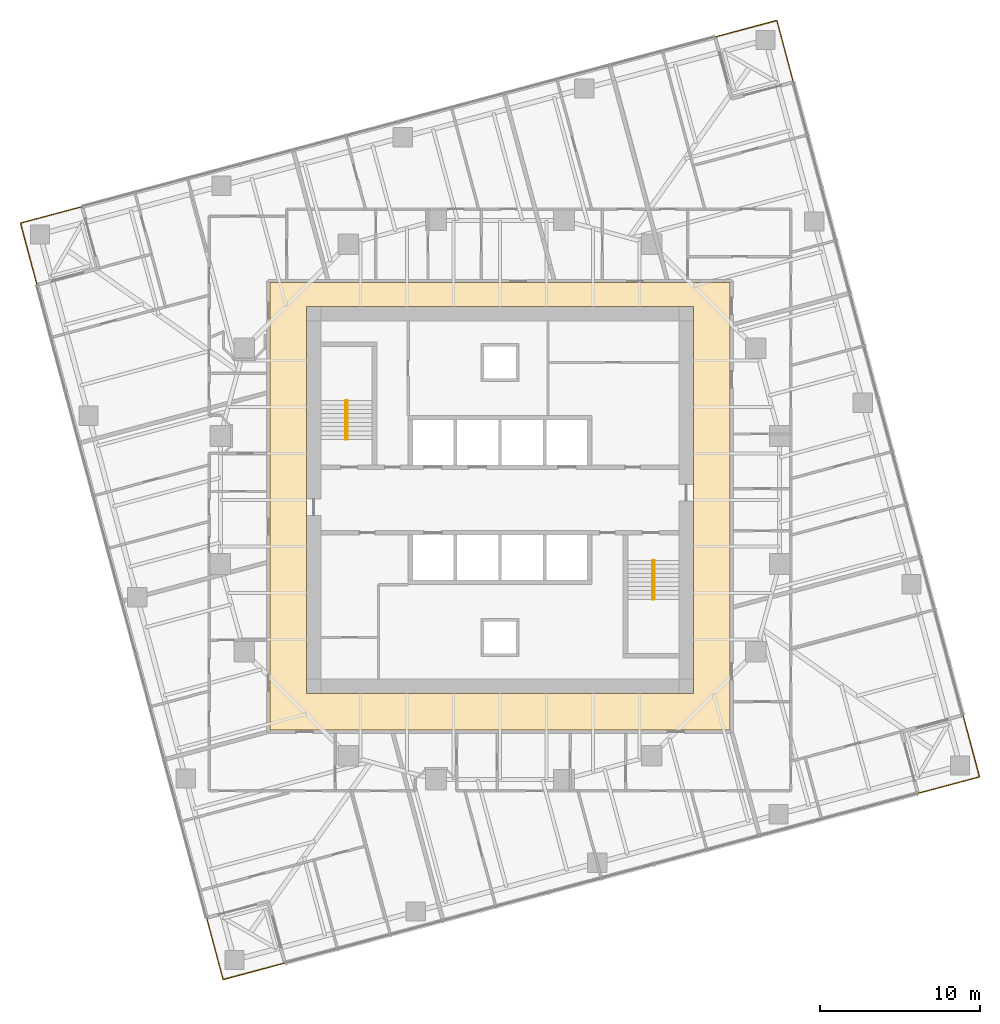
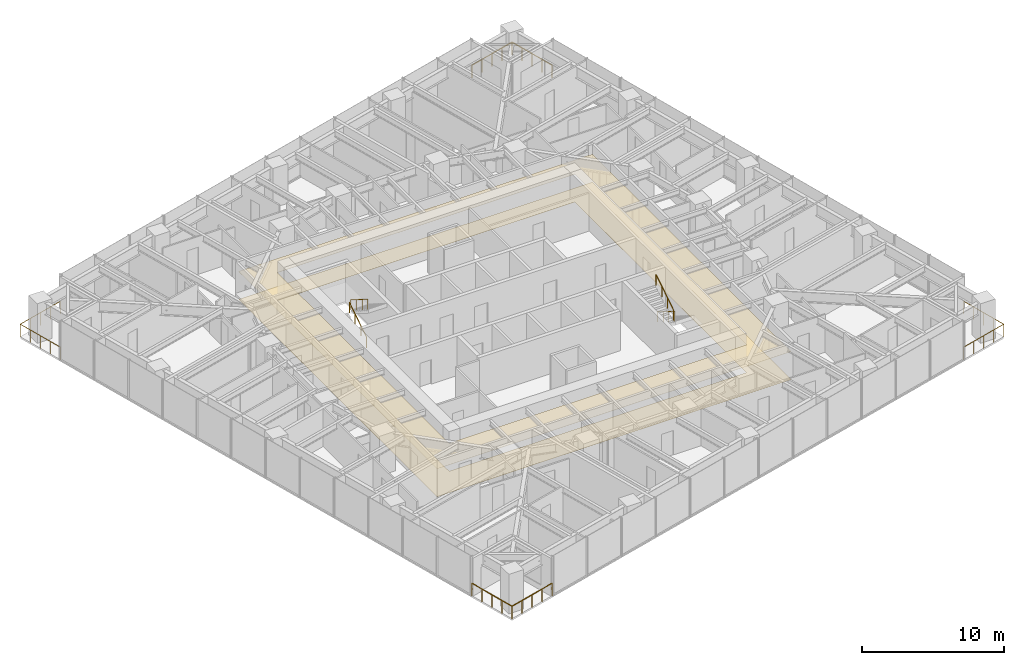
# One storey, part 15 of 15: 8 railings, 2 coverings, 2 elements without a shape of their own.
"""IFC4 building model written with IfcOpenShell, lengths in metres."""

from ifc_helpers import new_model, si_unit, direction, frame, origin, origin_2d, place, context, subcontext, project, spatial, polyline, circle, outline, extrude, material, layer, layer_set, type_object, element, aggregate, save


model = new_model("IFC4")

# Units and contexts
model_context = context("Model", 3, precision=1e-05, world=origin(), true_north=direction((0.0, 1.0)))
body_context = subcontext(model_context, "Body", "Model", "MODEL_VIEW")
ifc_project = project(units=[si_unit("LENGTHUNIT", "METRE"), si_unit("AREAUNIT", "SQUARE_METRE"), si_unit("VOLUMEUNIT", "CUBIC_METRE"), si_unit("PLANEANGLEUNIT", "RADIAN"), si_unit("MASSUNIT", "GRAM", prefix="KILO")], contexts=[model_context])

# Site, building, storey
site_placement = place(None, origin())
site = spatial("IfcSite", under=ifc_project, at=site_placement, CompositionType="ELEMENT")
building_placement = place(site_placement, origin())
building = spatial("IfcBuilding", under=site, at=building_placement, Name="Torsade Residences", CompositionType="ELEMENT")
storey_placement = place(building_placement, frame((0.0, 0.0, 132.0)))
storey = spatial("IfcBuildingStorey", under=building, at=storey_placement, Name="L36", CompositionType="ELEMENT", Elevation=132.0)

# Coverings
ifc_material_1 = material(Name="Nylon carpet tile on underlay", Category="textile")
ifc_layer_1 = layer(ifc_material_1, 0.010009765625)
ifc_layer_set_1 = layer_set([ifc_layer_1], Name="Nylon carpet tile on underlay")
covering_type_1 = type_object("IfcCoveringType", Name="CORRIDOR CARPET TILE 10", PredefinedType="FLOORING", material=ifc_layer_set_1)
covering_1_placement = place(storey_placement, origin())
element("IfcCovering", 1, at=covering_1_placement, inside=storey, type_object=covering_type_1, Name="Corridor carpet L36", PredefinedType="FLOORING", context=body_context, shape_type="SweptSolid", body=[
    extrude(outline(polyline([(54.39990234375, 15.60009765625), (54.39990234375, 43.60009765625), (25.60009765625, 43.60009765625), (25.60009765625, 15.60009765625), (54.39990234375, 15.60009765625)]), holes=[polyline([(52.10009765625, 42.10009765625), (27.89990234375, 42.10009765625), (27.89990234375, 17.89990234375), (52.10009765625, 17.89990234375), (52.10009765625, 42.10009765625)])]), origin(), (0.0, 0.0, 1.0), 0.010009765625),
])
ifc_material_2 = material(Name="Plasterboard on suspended steel grid", Category="steel")
ifc_layer_2 = layer(ifc_material_2, 0.012939453125)
ifc_layer_set_2 = layer_set([ifc_layer_2], Name="Plasterboard on suspended steel grid")
covering_type_2 = type_object("IfcCoveringType", Name="CORRIDOR SUSPENDED CEILING 13", PredefinedType="CEILING", material=ifc_layer_set_2)
covering_2_placement = place(storey_placement, frame((0.0, 0.0, 2.39990234375)))
element("IfcCovering", 2, at=covering_2_placement, inside=storey, type_object=covering_type_2, Name="Corridor ceiling L36", PredefinedType="CEILING", context=body_context, shape_type="SweptSolid", body=[
    extrude(outline(polyline([(54.39990234375, 15.60009765625), (54.39990234375, 43.60009765625), (25.60009765625, 43.60009765625), (25.60009765625, 15.60009765625), (54.39990234375, 15.60009765625)]), holes=[polyline([(52.10009765625, 42.10009765625), (27.89990234375, 42.10009765625), (27.89990234375, 17.89990234375), (52.10009765625, 17.89990234375), (52.10009765625, 42.10009765625)])]), origin(), (0.0, 0.0, 1.0), 0.01318359375),
])

# Stair, railings
ifc_material_3 = material(Name="Precast concrete 40 MPa", Category="concrete")
stair_type = type_object("IfcStairType", Name="HALF-TURN FIRE STAIR 1500x3400", PredefinedType="HALF_TURN_STAIR", material=ifc_material_3)
stair_1_placement = place(storey_placement, origin())
stair_1 = element("IfcStair", 3, at=stair_1_placement, inside=storey, type_object=stair_type, Name="Stair ST1 L36", PredefinedType="HALF_TURN_STAIR")
ifc_material_4 = material(Name="Steel handrail", Category="steel")
railing_type_1 = type_object("IfcRailingType", Name="STAIR HANDRAIL 900", PredefinedType="HANDRAIL", material=ifc_material_4)
railing_1_placement = place(storey_placement, frame((30.35009765625, 33.780029296875, 0.169921875)))
railing_1 = element("IfcRailing", 4, at=railing_1_placement, type_object=railing_type_1, Name="Handrail ST1 flight 1 L36", PredefinedType="HANDRAIL", context=body_context, shape_type="SweptSolid", body=[
    extrude(circle(Radius=0.02392578125, at=origin_2d()), frame((0.0, 0.0, 0.8759765625), z_axis=(0.0, 0.846221481393, 0.532831309544), x_axis=(-1.0, 0.0, 0.0)), (0.0, 0.0, 1.0), 2.87158203125),
    extrude(circle(Radius=0.02099609375, at=origin_2d()), origin(), (0.0, 0.0, 1.0), 0.851806640625),
    extrude(circle(Radius=0.02099609375, at=origin_2d()), frame((0.0, 0.81005859375, 0.510009765625)), (0.0, 0.0, 1.0), 0.851806640625),
    extrude(circle(Radius=0.02099609375, at=origin_2d()), frame((0.0, 1.619873046875, 1.02001953125)), (0.0, 0.0, 1.0), 0.851806640625),
    extrude(circle(Radius=0.02099609375, at=origin_2d()), frame((0.0, 2.429931640625, 1.530029296875)), (0.0, 0.0, 1.0), 0.851806640625),
])
railing_2_placement = place(storey_placement, frame((30.449951171875, 36.2099609375, 1.8701171875)))
railing_2 = element("IfcRailing", 5, at=railing_2_placement, type_object=railing_type_1, Name="Handrail ST1 flight 2 L36", PredefinedType="HANDRAIL", context=body_context, shape_type="SweptSolid", body=[
    extrude(circle(Radius=0.02392578125, at=origin_2d()), frame((0.0, 0.0, 0.8759765625), z_axis=(0.0, -0.846259816676, 0.532770422113), x_axis=(1.0, 0.0, 0.0)), (0.0, 0.0, 1.0), 2.871337890625),
    extrude(circle(Radius=0.02099609375, at=origin_2d()), origin(), (0.0, 0.0, 1.0), 0.851806640625),
    extrude(circle(Radius=0.02099609375, at=origin_2d()), frame((0.0, -0.81005859375, 0.510009765625)), (0.0, 0.0, 1.0), 0.851806640625),
    extrude(circle(Radius=0.02099609375, at=origin_2d()), frame((0.0, -1.619873046875, 1.019775390625)), (0.0, 0.0, 1.0), 0.851806640625),
    extrude(circle(Radius=0.02099609375, at=origin_2d()), frame((0.0, -2.429931640625, 1.52978515625)), (0.0, 0.0, 1.0), 0.851806640625),
])
aggregate(stair_1, [railing_1, railing_2])

stair_2_placement = place(storey_placement, origin())
stair_2 = element("IfcStair", 6, at=stair_2_placement, inside=storey, type_object=stair_type, Name="Stair ST2 L36", PredefinedType="HALF_TURN_STAIR")
railing_3_placement = place(storey_placement, frame((49.64990234375, 26.219970703125, 0.169921875)))
railing_3 = element("IfcRailing", 7, at=railing_3_placement, type_object=railing_type_1, Name="Handrail ST2 flight 1 L36", PredefinedType="HANDRAIL", context=body_context, shape_type="SweptSolid", body=[
    extrude(circle(Radius=0.02392578125, at=origin_2d()), frame((0.0, 0.0, 0.8759765625), z_axis=(0.0, -0.846221481393, 0.532831309544), x_axis=(1.0, 0.0, 0.0)), (0.0, 0.0, 1.0), 2.87158203125),
    extrude(circle(Radius=0.02099609375, at=origin_2d()), origin(), (0.0, 0.0, 1.0), 0.851806640625),
    extrude(circle(Radius=0.02099609375, at=origin_2d()), frame((0.0, -0.81005859375, 0.510009765625)), (0.0, 0.0, 1.0), 0.851806640625),
    extrude(circle(Radius=0.02099609375, at=origin_2d()), frame((0.0, -1.619873046875, 1.02001953125)), (0.0, 0.0, 1.0), 0.851806640625),
    extrude(circle(Radius=0.02099609375, at=origin_2d()), frame((0.0, -2.429931640625, 1.530029296875)), (0.0, 0.0, 1.0), 0.851806640625),
])
railing_4_placement = place(storey_placement, frame((49.550048828125, 23.7900390625, 1.8701171875)))
railing_4 = element("IfcRailing", 8, at=railing_4_placement, type_object=railing_type_1, Name="Handrail ST2 flight 2 L36", PredefinedType="HANDRAIL", context=body_context, shape_type="SweptSolid", body=[
    extrude(circle(Radius=0.02392578125, at=origin_2d()), frame((0.0, 0.0, 0.8759765625), z_axis=(0.0, 0.846259816676, 0.532770422113), x_axis=(-1.0, 0.0, 0.0)), (0.0, 0.0, 1.0), 2.871337890625),
    extrude(circle(Radius=0.02099609375, at=origin_2d()), origin(), (0.0, 0.0, 1.0), 0.851806640625),
    extrude(circle(Radius=0.02099609375, at=origin_2d()), frame((0.0, 0.81005859375, 0.510009765625)), (0.0, 0.0, 1.0), 0.851806640625),
    extrude(circle(Radius=0.02099609375, at=origin_2d()), frame((0.0, 1.619873046875, 1.019775390625)), (0.0, 0.0, 1.0), 0.851806640625),
    extrude(circle(Radius=0.02099609375, at=origin_2d()), frame((0.0, 2.429931640625, 1.52978515625)), (0.0, 0.0, 1.0), 0.851806640625),
])
aggregate(stair_2, [railing_3, railing_4])

# Railings
ifc_material_5 = material(Name="Laminated glass balustrade", Category="glass")
railing_type_2 = type_object("IfcRailingType", Name="TERRACE GLASS BALUSTRADE 1100", PredefinedType="BALUSTRADE", material=ifc_material_5)
railing_5_placement = place(storey_placement, frame((66.142578125, 11.640625, 0.0)))
element("IfcRailing", 9, at=railing_5_placement, inside=storey, type_object=railing_type_2, Name="Terrace balustrade SE L36", PredefinedType="BALUSTRADE", context=body_context, shape_type="SweptSolid", body=[
    extrude(circle(Radius=0.02392578125, at=origin_2d()), frame((0.0, 0.0, 1.076171875), z_axis=(0.965934430412, 0.258786931944, 0.0), x_axis=(-0.258786931944, 0.965934430412, 0.0)), (0.0, 0.0, 1.0), 4.0),
    extrude(circle(Radius=0.02392578125, at=origin_2d()), frame((3.86376953125, 1.03515625, 1.076171875), z_axis=(-0.258843877716, 0.965919172068, 0.0), x_axis=(-0.965919172068, -0.258843877716, 0.0)), (0.0, 0.0, 1.0), 4.0),
    extrude(circle(Radius=0.02099609375, at=origin_2d()), origin(), (0.0, 0.0, 1.0), 1.052001953125),
    extrude(circle(Radius=0.02099609375, at=origin_2d()), frame((0.9658203125, 0.2587890625, 0.0)), (0.0, 0.0, 1.0), 1.052001953125),
    extrude(circle(Radius=0.02099609375, at=origin_2d()), frame((1.931884765625, 0.517578125, 0.0)), (0.0, 0.0, 1.0), 1.052001953125),
    extrude(circle(Radius=0.02099609375, at=origin_2d()), frame((2.89794921875, 0.7763671875, 0.0)), (0.0, 0.0, 1.0), 1.052001953125),
    extrude(circle(Radius=0.02099609375, at=origin_2d()), frame((3.86376953125, 1.03515625, 0.0)), (0.0, 0.0, 1.0), 1.052001953125),
    extrude(circle(Radius=0.02099609375, at=origin_2d()), frame((3.60498046875, 2.0009765625, 0.0)), (0.0, 0.0, 1.0), 1.052001953125),
    extrude(circle(Radius=0.02099609375, at=origin_2d()), frame((3.34619140625, 2.967041015625, 0.0)), (0.0, 0.0, 1.0), 1.052001953125),
    extrude(circle(Radius=0.02099609375, at=origin_2d()), frame((3.087158203125, 3.93310546875, 0.0)), (0.0, 0.0, 1.0), 1.052001953125),
    extrude(circle(Radius=0.02099609375, at=origin_2d()), frame((2.828369140625, 4.89892578125, 0.0)), (0.0, 0.0, 1.0), 1.052001953125),
])
railing_6_placement = place(storey_placement, frame((58.359375, 56.142578125, 0.0)))
element("IfcRailing", 10, at=railing_6_placement, inside=storey, type_object=railing_type_2, Name="Terrace balustrade NE L36", PredefinedType="BALUSTRADE", context=body_context, shape_type="SweptSolid", body=[
    extrude(circle(Radius=0.02392578125, at=origin_2d()), frame((0.0, 0.0, 1.076171875), z_axis=(-0.258786931944, 0.965934430412, 0.0), x_axis=(-0.965934430412, -0.258786931944, 0.0)), (0.0, 0.0, 1.0), 4.0),
    extrude(circle(Radius=0.02392578125, at=origin_2d()), frame((-1.03515625, 3.86376953125, 1.076171875), z_axis=(-0.965919172068, -0.258843877716, 0.0), x_axis=(0.258843877716, -0.965919172068, 0.0)), (0.0, 0.0, 1.0), 4.0),
    extrude(circle(Radius=0.02099609375, at=origin_2d()), origin(), (0.0, 0.0, 1.0), 1.052001953125),
    extrude(circle(Radius=0.02099609375, at=origin_2d()), frame((-0.2587890625, 0.9658203125, 0.0)), (0.0, 0.0, 1.0), 1.052001953125),
    extrude(circle(Radius=0.02099609375, at=origin_2d()), frame((-0.517578125, 1.931884765625, 0.0)), (0.0, 0.0, 1.0), 1.052001953125),
    extrude(circle(Radius=0.02099609375, at=origin_2d()), frame((-0.7763671875, 2.89794921875, 0.0)), (0.0, 0.0, 1.0), 1.052001953125),
    extrude(circle(Radius=0.02099609375, at=origin_2d()), frame((-1.03515625, 3.86376953125, 0.0)), (0.0, 0.0, 1.0), 1.052001953125),
    extrude(circle(Radius=0.02099609375, at=origin_2d()), frame((-2.0009765625, 3.60498046875, 0.0)), (0.0, 0.0, 1.0), 1.052001953125),
    extrude(circle(Radius=0.02099609375, at=origin_2d()), frame((-2.967041015625, 3.34619140625, 0.0)), (0.0, 0.0, 1.0), 1.052001953125),
    extrude(circle(Radius=0.02099609375, at=origin_2d()), frame((-3.93310546875, 3.087158203125, 0.0)), (0.0, 0.0, 1.0), 1.052001953125),
    extrude(circle(Radius=0.02099609375, at=origin_2d()), frame((-4.89892578125, 2.828369140625, 0.0)), (0.0, 0.0, 1.0), 1.052001953125),
])
railing_7_placement = place(storey_placement, frame((13.857421875, 48.359375, 0.0)))
element("IfcRailing", 11, at=railing_7_placement, inside=storey, type_object=railing_type_2, Name="Terrace balustrade NW L36", PredefinedType="BALUSTRADE", context=body_context, shape_type="SweptSolid", body=[
    extrude(circle(Radius=0.02392578125, at=origin_2d()), frame((0.0, 0.0, 1.076171875), z_axis=(-0.965934430412, -0.258786931944, 0.0), x_axis=(0.258786931944, -0.965934430412, 0.0)), (0.0, 0.0, 1.0), 4.0),
    extrude(circle(Radius=0.02392578125, at=origin_2d()), frame((-3.86376953125, -1.03515625, 1.076171875), z_axis=(0.258843877716, -0.965919172068, 0.0), x_axis=(0.965919172068, 0.258843877716, 0.0)), (0.0, 0.0, 1.0), 4.0),
    extrude(circle(Radius=0.02099609375, at=origin_2d()), origin(), (0.0, 0.0, 1.0), 1.052001953125),
    extrude(circle(Radius=0.02099609375, at=origin_2d()), frame((-0.9658203125, -0.2587890625, 0.0)), (0.0, 0.0, 1.0), 1.052001953125),
    extrude(circle(Radius=0.02099609375, at=origin_2d()), frame((-1.931884765625, -0.517578125, 0.0)), (0.0, 0.0, 1.0), 1.052001953125),
    extrude(circle(Radius=0.02099609375, at=origin_2d()), frame((-2.89794921875, -0.7763671875, 0.0)), (0.0, 0.0, 1.0), 1.052001953125),
    extrude(circle(Radius=0.02099609375, at=origin_2d()), frame((-3.86376953125, -1.03515625, 0.0)), (0.0, 0.0, 1.0), 1.052001953125),
    extrude(circle(Radius=0.02099609375, at=origin_2d()), frame((-3.60498046875, -2.0009765625, 0.0)), (0.0, 0.0, 1.0), 1.052001953125),
    extrude(circle(Radius=0.02099609375, at=origin_2d()), frame((-3.34619140625, -2.967041015625, 0.0)), (0.0, 0.0, 1.0), 1.052001953125),
    extrude(circle(Radius=0.02099609375, at=origin_2d()), frame((-3.087158203125, -3.93310546875, 0.0)), (0.0, 0.0, 1.0), 1.052001953125),
    extrude(circle(Radius=0.02099609375, at=origin_2d()), frame((-2.828369140625, -4.89892578125, 0.0)), (0.0, 0.0, 1.0), 1.052001953125),
])
railing_8_placement = place(storey_placement, frame((21.640625, 3.857421875, 0.0)))
element("IfcRailing", 12, at=railing_8_placement, inside=storey, type_object=railing_type_2, Name="Terrace balustrade SW L36", PredefinedType="BALUSTRADE", context=body_context, shape_type="SweptSolid", body=[
    extrude(circle(Radius=0.02392578125, at=origin_2d()), frame((0.0, 0.0, 1.076171875), z_axis=(0.258786931944, -0.965934430412, 0.0), x_axis=(0.965934430412, 0.258786931944, 0.0)), (0.0, 0.0, 1.0), 4.0),
    extrude(circle(Radius=0.02392578125, at=origin_2d()), frame((1.03515625, -3.86376953125, 1.076171875), z_axis=(0.965919172068, 0.258843877716, 0.0), x_axis=(-0.258843877716, 0.965919172068, 0.0)), (0.0, 0.0, 1.0), 4.0),
    extrude(circle(Radius=0.02099609375, at=origin_2d()), origin(), (0.0, 0.0, 1.0), 1.052001953125),
    extrude(circle(Radius=0.02099609375, at=origin_2d()), frame((0.2587890625, -0.9658203125, 0.0)), (0.0, 0.0, 1.0), 1.052001953125),
    extrude(circle(Radius=0.02099609375, at=origin_2d()), frame((0.517578125, -1.931884765625, 0.0)), (0.0, 0.0, 1.0), 1.052001953125),
    extrude(circle(Radius=0.02099609375, at=origin_2d()), frame((0.7763671875, -2.89794921875, 0.0)), (0.0, 0.0, 1.0), 1.052001953125),
    extrude(circle(Radius=0.02099609375, at=origin_2d()), frame((1.03515625, -3.86376953125, 0.0)), (0.0, 0.0, 1.0), 1.052001953125),
    extrude(circle(Radius=0.02099609375, at=origin_2d()), frame((2.0009765625, -3.60498046875, 0.0)), (0.0, 0.0, 1.0), 1.052001953125),
    extrude(circle(Radius=0.02099609375, at=origin_2d()), frame((2.967041015625, -3.34619140625, 0.0)), (0.0, 0.0, 1.0), 1.052001953125),
    extrude(circle(Radius=0.02099609375, at=origin_2d()), frame((3.93310546875, -3.087158203125, 0.0)), (0.0, 0.0, 1.0), 1.052001953125),
    extrude(circle(Radius=0.02099609375, at=origin_2d()), frame((4.89892578125, -2.828369140625, 0.0)), (0.0, 0.0, 1.0), 1.052001953125),
])

save(model, "model.ifc")
